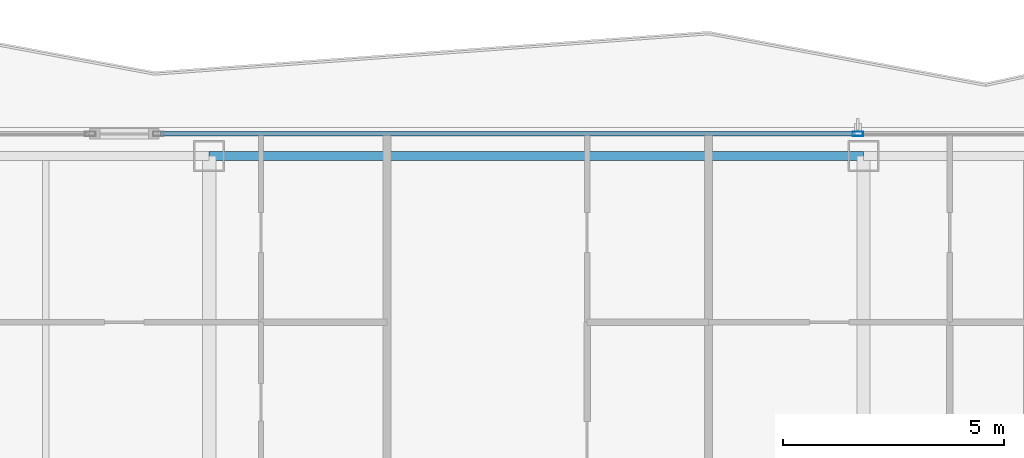
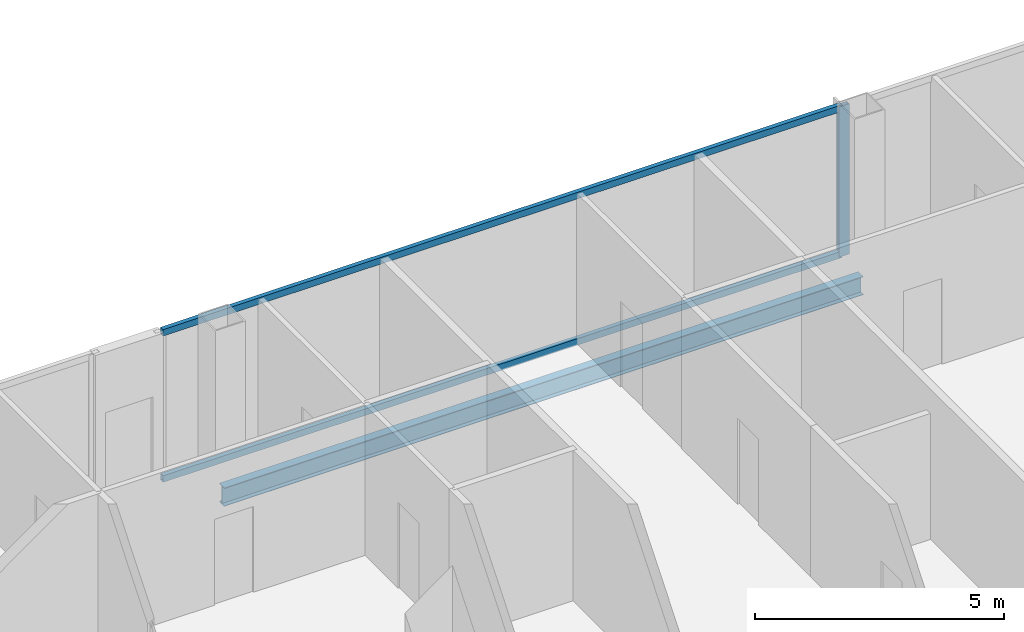
# One storey, part 14 of 30: 3 members, 1 beam, 1 element without a shape of its own.
"""IFC4 building model written with IfcOpenShell, lengths in metres."""

import ifcopenshell
import ifcopenshell.guid

model = None  # the IFC model being written
_history = None  # IfcOwnerHistory: only IFC2X3 demands one
_inside = {}  # id of a spatial element -> (the spatial element, [elements in it])
_under = {}  # id of a project, library or spatial element -> (it, [spatial elements below it])
_declared = {}  # id of a project -> (the project, [libraries it declares])
_typed = {}  # id of a type object -> (the type object, [elements of that type])
_made_of = {}  # id of a material, layer set ... -> (it, [elements and type objects made of it])


def new_model(schema):
    """Start an empty IFC model of exactly this schema.

    Asked for "IFC4X3", IfcOpenShell would pick the latest addendum, in which some entities
    have other attributes; the version numbers below select the first issue.
    IFC2X3 requires an IfcOwnerHistory on every rooted entity: one is made here for all.
    """
    global model, _history
    if schema == "IFC4X3":
        model = ifcopenshell.file(schema_version=(4, 3, 0, 0))
    else:
        model = ifcopenshell.file(schema=schema)
    _inside.clear()
    _under.clear()
    _declared.clear()
    _typed.clear()
    _made_of.clear()
    _history = None
    if model.schema == "IFC2X3":
        org = make("IfcOrganization", Name="unknown")
        user = make(
            "IfcPersonAndOrganization",
            ThePerson=make("IfcPerson", FamilyName="unknown"),
            TheOrganization=org,
        )
        app = make(
            "IfcApplication",
            ApplicationDeveloper=org,
            Version="unknown",
            ApplicationFullName="unknown",
            ApplicationIdentifier="unknown",
        )
        _history = make(
            "IfcOwnerHistory",
            OwningUser=user,
            OwningApplication=app,
            ChangeAction="ADDED",
            CreationDate=0,
        )
    return model


def make(cls, **values):
    """One entity of the class cls with the attributes given. An attribute that is None is left unset."""
    return model.create_entity(
        cls, **{name: value for name, value in values.items() if value is not None}
    )


def rooted(cls, **values):
    """An entity with a GlobalId (a new one), such as an element, a storey or a relation."""
    return make(cls, GlobalId=ifcopenshell.guid.new(), OwnerHistory=_history, **values)


def si_unit(unit_type, name, prefix=None):
    """IfcSIUnit, for example si_unit("LENGTHUNIT", "METRE", prefix="MILLI")."""
    return make("IfcSIUnit", UnitType=unit_type, Prefix=prefix, Name=name)


def assignment(units):
    """IfcUnitAssignment: the units of a project."""
    return None if units is None else make("IfcUnitAssignment", Units=units)


def point(xyz):
    """IfcCartesianPoint."""
    return None if xyz is None else make("IfcCartesianPoint", Coordinates=xyz)


def direction(xyz):
    """IfcDirection."""
    return None if xyz is None else make("IfcDirection", DirectionRatios=xyz)


def frame(location, z_axis=None, x_axis=None):
    """IfcAxis2Placement3D, a coordinate frame: its origin and axes. An axis left out is left unset."""
    return make(
        "IfcAxis2Placement3D",
        Location=point(location),
        Axis=direction(z_axis),
        RefDirection=direction(x_axis),
    )


def frame_2d(location, x_axis=None):
    """IfcAxis2Placement2D, a coordinate frame in the plane: its origin and x axis."""
    return make(
        "IfcAxis2Placement2D", Location=point(location), RefDirection=direction(x_axis)
    )


def origin():
    """The frame at (0, 0, 0) with its axes left unset."""
    return frame((0.0, 0.0, 0.0))


def origin_2d():
    """The frame at (0, 0) in the plane with its x axis left unset."""
    return frame_2d((0.0, 0.0))


def place(relative_to, where):
    """IfcLocalPlacement: puts the frame where relative to a parent placement (None: the world)."""
    return make(
        "IfcLocalPlacement", PlacementRelTo=relative_to, RelativePlacement=where
    )


def context(
    kind, dimensions, precision=None, world=None, true_north=None, identifier=None
):
    """IfcGeometricRepresentationContext, for example the 3D "Model" context."""
    return make(
        "IfcGeometricRepresentationContext",
        ContextIdentifier=identifier,
        ContextType=kind,
        CoordinateSpaceDimension=dimensions,
        Precision=precision,
        WorldCoordinateSystem=world,
        TrueNorth=true_north,
    )


def subcontext(parent, identifier, kind, view, scale=None):
    """IfcGeometricRepresentationSubContext, for example "Body" below "Model"."""
    return make(
        "IfcGeometricRepresentationSubContext",
        ContextIdentifier=identifier,
        ContextType=kind,
        ParentContext=parent,
        TargetScale=scale,
        TargetView=view,
    )


def project(units=None, contexts=None):
    """IfcProject with its units and contexts."""
    return rooted(
        "IfcProject",
        Name="project",
        RepresentationContexts=contexts,
        UnitsInContext=assignment(units),
    )


def spatial(cls, under=None, at=None, **own):
    """A site, building, storey or space (cls), placed at a placement, below another one or the project."""
    s = rooted(cls, ObjectPlacement=at, **own)
    if under is not None:
        _under.setdefault(under.id(), (under, []))[1].append(s)
    return s


def profile(cls, at=None, kind="AREA", **sizes):
    """A parametric profile (cls). Its sizes go by their IFC names, for example OverallWidth=200.0."""
    return make(cls, ProfileType=kind, Position=at, **sizes)


def hollow_rectangle(**sizes):
    """IfcRectangleHollowProfileDef."""
    return profile("IfcRectangleHollowProfileDef", **sizes)


def i_section(**sizes):
    """IfcIShapeProfileDef."""
    return profile("IfcIShapeProfileDef", **sizes)


def extrude(swept, where, along, depth):
    """IfcExtrudedAreaSolid: the profile swept, set in the frame where, extruded along a direction by depth."""
    return make(
        "IfcExtrudedAreaSolid",
        SweptArea=swept,
        Position=where,
        ExtrudedDirection=direction(along),
        Depth=depth,
    )


def shape(context_of_items, identifier, shape_type, items):
    """IfcShapeRepresentation: the items that make up one representation, for example the "Body"."""
    return make(
        "IfcShapeRepresentation",
        ContextOfItems=context_of_items,
        RepresentationIdentifier=identifier,
        RepresentationType=shape_type,
        Items=items,
    )


def material(Name=None, Category=None):
    """IfcMaterial."""
    return make("IfcMaterial", Name=Name, Category=Category)


def layer(
    of_material, thickness, ventilated=None, Name=None, Category=None, Priority=None
):
    """IfcMaterialLayer: one layer of a wall or slab, of a material (None: an air gap)."""
    return make(
        "IfcMaterialLayer",
        Material=of_material,
        LayerThickness=thickness,
        IsVentilated=ventilated,
        Name=Name,
        Category=Category,
        Priority=Priority,
    )


def layer_set(layers, Name=None):
    """IfcMaterialLayerSet."""
    return make("IfcMaterialLayerSet", MaterialLayers=layers, LayerSetName=Name)


def material_profile(
    of_material, cross_section, Name=None, Category=None, Priority=None
):
    """IfcMaterialProfile: a cross section and its material."""
    return make(
        "IfcMaterialProfile",
        Name=Name,
        Material=of_material,
        Profile=cross_section,
        Priority=Priority,
        Category=Category,
    )


def profile_set(profiles, Name=None, composite=None):
    """IfcMaterialProfileSet."""
    return make(
        "IfcMaterialProfileSet",
        Name=Name,
        MaterialProfiles=profiles,
        CompositeProfile=composite,
    )


def made_of(thing, what):
    """Note that an element or type object is made of a material, layer set ...; save() writes the relation."""
    if what is not None:
        _made_of.setdefault(what.id(), (what, []))[1].append(thing)
    return thing


def type_object(cls, material=None, **own):
    """A type object (cls), such as IfcWallType, which elements share."""
    return made_of(rooted(cls, **own), material)


def element(
    cls,
    number,
    at=None,
    inside=None,
    cuts=None,
    type_object=None,
    material=None,
    context=None,
    identifier="Body",
    shape_type=None,
    held_by="IfcProductDefinitionShape",
    body=None,
    shapes=None,
    **own,
):
    """One element of the class cls, such as IfcWall. Its Tag is "e" and its number.

    at: its placement. inside: the storey or other place that contains it. cuts: it is an
    opening in that element (IfcRelVoidsElement). A single representation is given by context,
    identifier, shape_type and body (its items); several are given by shapes. held_by: the class
    of the entity that holds the representations. save() writes the other relations.
    """
    e = rooted(cls, Tag="e%d" % number, ObjectPlacement=at, **own)
    if body is not None:
        shapes = [shape(context, identifier, shape_type, body)]
    if shapes is not None:
        e.Representation = make(held_by, Representations=shapes)
    if inside is not None:
        _inside.setdefault(inside.id(), (inside, []))[1].append(e)
    if cuts is not None:
        rooted(
            "IfcRelVoidsElement", RelatingBuildingElement=cuts, RelatedOpeningElement=e
        )
    if type_object is not None:
        _typed.setdefault(type_object.id(), (type_object, []))[1].append(e)
    return made_of(e, material)


def aggregate(whole, parts):
    """IfcRelAggregates: a whole, such as a stair, and the parts it consists of."""
    return rooted("IfcRelAggregates", RelatingObject=whole, RelatedObjects=parts)


def save(model, path):
    """Write the relations noted so far, then the file.

    IfcRelAggregates (storeys below a building ...), IfcRelContainedInSpatialStructure (elements
    in a storey), IfcRelDefinesByType, IfcRelAssociatesMaterial and IfcRelDeclares: one each for
    every whole, place, type object, material and project.
    """
    for whole, parts in _under.values():
        aggregate(whole, parts)
    for where, things in _inside.values():
        rooted(
            "IfcRelContainedInSpatialStructure",
            RelatedElements=things,
            RelatingStructure=where,
        )
    for kind, things in _typed.values():
        rooted("IfcRelDefinesByType", RelatedObjects=things, RelatingType=kind)
    for what, things in _made_of.values():
        rooted("IfcRelAssociatesMaterial", RelatedObjects=things, RelatingMaterial=what)
    for by, libraries in _declared.values():
        rooted("IfcRelDeclares", RelatingContext=by, RelatedDefinitions=libraries)
    model.write(path)


model = new_model("IFC4")

# Units and contexts
model_context = context("Model", 3, precision=1e-05, world=origin(), true_north=direction((0.0, 1.0)))
body_context = subcontext(model_context, "Body", "Model", "MODEL_VIEW")
ifc_project = project(units=[si_unit("LENGTHUNIT", "METRE"), si_unit("AREAUNIT", "SQUARE_METRE"), si_unit("VOLUMEUNIT", "CUBIC_METRE"), si_unit("PLANEANGLEUNIT", "RADIAN"), si_unit("MASSUNIT", "GRAM", prefix="KILO")], contexts=[model_context])

# Site, building, storey
site_placement = place(None, origin())
site = spatial("IfcSite", under=ifc_project, at=site_placement, CompositionType="ELEMENT")
building_placement = place(site_placement, origin())
building = spatial("IfcBuilding", under=site, at=building_placement, Name="Khorvyn Point Tower", CompositionType="ELEMENT")
storey_placement = place(building_placement, frame((0.0, 0.0, 117.300048828125)))
storey = spatial("IfcBuildingStorey", under=building, at=storey_placement, Name="L29", CompositionType="ELEMENT", Elevation=117.300048828125)

# Curtain wall, members
ifc_material_1 = material(Name="Anodised aluminium 6063-T6 and laminated Low-E glass", Category="aluminium")
ifc_layer = layer(ifc_material_1, 0.18994140625)
ifc_layer_set = layer_set([ifc_layer], Name="Stick-Built Acoustic Curtain Wall CW-SYS-03")
curtain_wall_type = type_object("IfcCurtainWallType", Name="Stick-Built Acoustic Curtain Wall CW-SYS-03", PredefinedType="NOTDEFINED", material=ifc_layer_set)
curtain_wall_placement = place(storey_placement, origin())
curtain_wall = element("IfcCurtainWall", 1, at=curtain_wall_placement, inside=storey, type_object=curtain_wall_type, Name="Curtain Wall", PredefinedType="NOTDEFINED")
ifc_material_2 = material(Name="Anodised aluminium 6063-T6", Category="aluminium")
ifc_material_profile_1 = material_profile(ifc_material_2, hollow_rectangle(XDim=0.10009765625, YDim=0.239990234375, WallThickness=0.0048828125, at=origin_2d()))
ifc_profile_set_1 = profile_set([ifc_material_profile_1], Name="Anodised aluminium 6063-T6 ALU-MUL-100x240")
member_type_1 = type_object("IfcMemberType", Name="Anodised Aluminium 6063-T6 Mullion ALU-MUL-100x240", PredefinedType="MULLION", material=ifc_profile_set_1)
member_1_placement = place(storey_placement, frame((7.275390625, 29.449951171875, 0.0), z_axis=(0.0, 0.0, 1.0), x_axis=(0.0, 1.0, 0.0)))
member_1 = element("IfcMember", 2, at=member_1_placement, type_object=member_type_1, Name="Transom", PredefinedType="MULLION", context=body_context, shape_type="SweptSolid", body=[
    extrude(hollow_rectangle(XDim=0.10009765625, YDim=0.239990234375, WallThickness=0.0048828125, at=origin_2d()), origin(), (0.0, 0.0, 1.0), 3.679931640625),
])
ifc_material_profile_2 = material_profile(ifc_material_2, hollow_rectangle(XDim=0.10009765625, YDim=0.159912109375, WallThickness=0.00439453125, at=origin_2d()))
ifc_profile_set_2 = profile_set([ifc_material_profile_2], Name="Anodised aluminium 6063-T6 ALU-TRN-100x160")
member_type_2 = type_object("IfcMemberType", Name="Anodised Aluminium 6063-T6 Transom ALU-TRN-100x160", PredefinedType="USERDEFINED", material=ifc_profile_set_2)
member_2_placement = place(storey_placement, frame((-8.4990234375, 29.449951171875, 0.050048828125), z_axis=(1.0, 0.0, 0.0), x_axis=(0.0, 1.0, 0.0)))
member_2 = element("IfcMember", 3, at=member_2_placement, type_object=member_type_2, Name="Transom", ObjectType="TRANSOM", PredefinedType="USERDEFINED", context=body_context, shape_type="SweptSolid", body=[
    extrude(hollow_rectangle(XDim=0.10009765625, YDim=0.159912109375, WallThickness=0.00439453125, at=origin_2d()), origin(), (0.0, 0.0, 1.0), 15.724609375),
])
member_3_placement = place(storey_placement, frame((-8.4990234375, 29.449951171875, 3.6298828125), z_axis=(1.0, 0.0, 0.0), x_axis=(0.0, 1.0, 0.0)))
member_3 = element("IfcMember", 4, at=member_3_placement, type_object=member_type_2, Name="Transom", ObjectType="TRANSOM", PredefinedType="USERDEFINED", context=body_context, shape_type="SweptSolid", body=[
    extrude(hollow_rectangle(XDim=0.10009765625, YDim=0.159912109375, WallThickness=0.00439453125, at=origin_2d()), origin(), (0.0, 0.0, 1.0), 15.724609375),
])
aggregate(curtain_wall, [member_1, member_2, member_3])

# Beam
ifc_material_3 = material(Name="Steel S355", Category="steel")
ifc_material_profile_3 = material_profile(ifc_material_3, i_section(OverallWidth=0.199951171875, OverallDepth=0.449951171875, WebThickness=0.009033203125, FlangeThickness=0.013916015625, at=origin_2d()))
ifc_profile_set_3 = profile_set([ifc_material_profile_3], Name="Steel S355 H450x200x9x14")
beam_type = type_object("IfcBeamType", Name="Steel S355 Spandrel H450x200x9x14", PredefinedType="SPANDREL", material=ifc_profile_set_3)
beam_placement = place(storey_placement, frame((-7.39990234375, 28.949951171875, -0.445068359375), z_axis=(1.0, 0.0, 0.0), x_axis=(0.0, 1.0, 0.0)))
element("IfcBeam", 5, at=beam_placement, inside=storey, type_object=beam_type, Name="Beam", PredefinedType="SPANDREL", context=body_context, shape_type="SweptSolid", body=[
    extrude(i_section(OverallWidth=0.199951171875, OverallDepth=0.449951171875, WebThickness=0.009033203125, FlangeThickness=0.013916015625, at=origin_2d()), origin(), (0.0, 0.0, 1.0), 14.7998046875),
])

save(model, "model.ifc")
